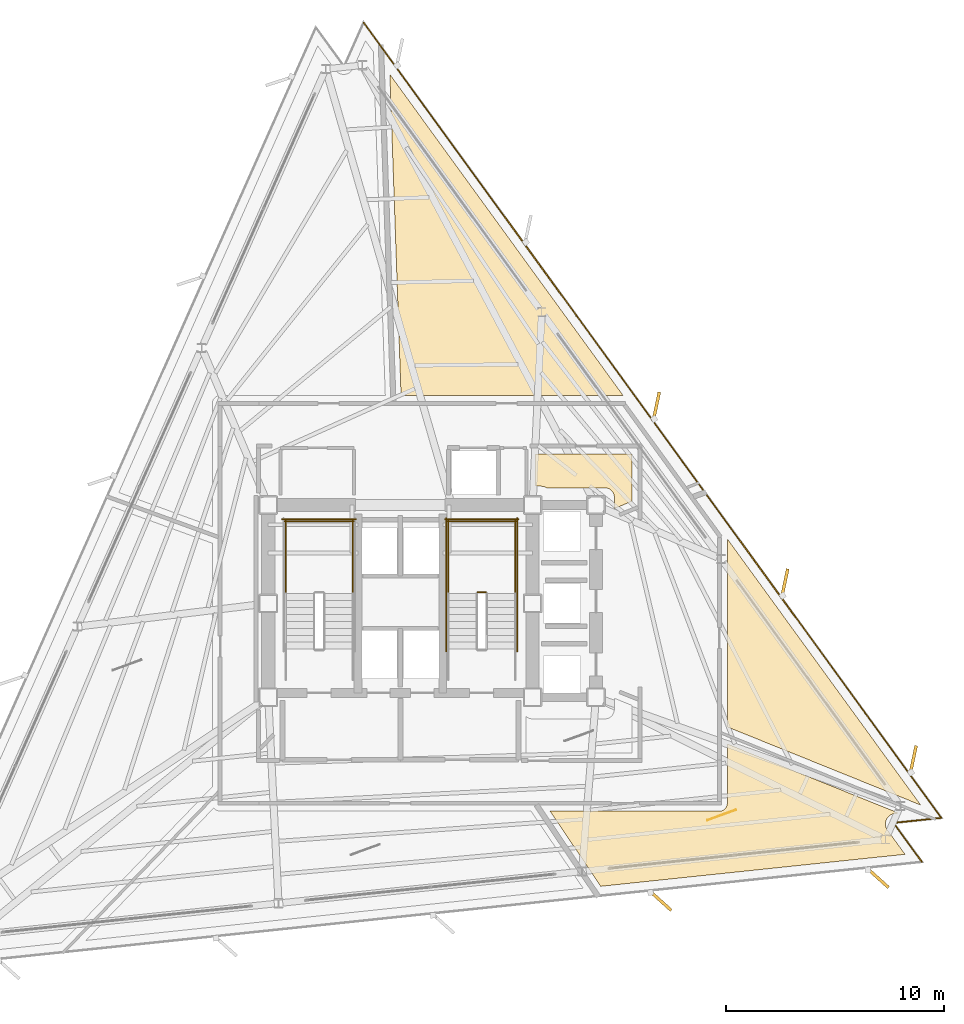
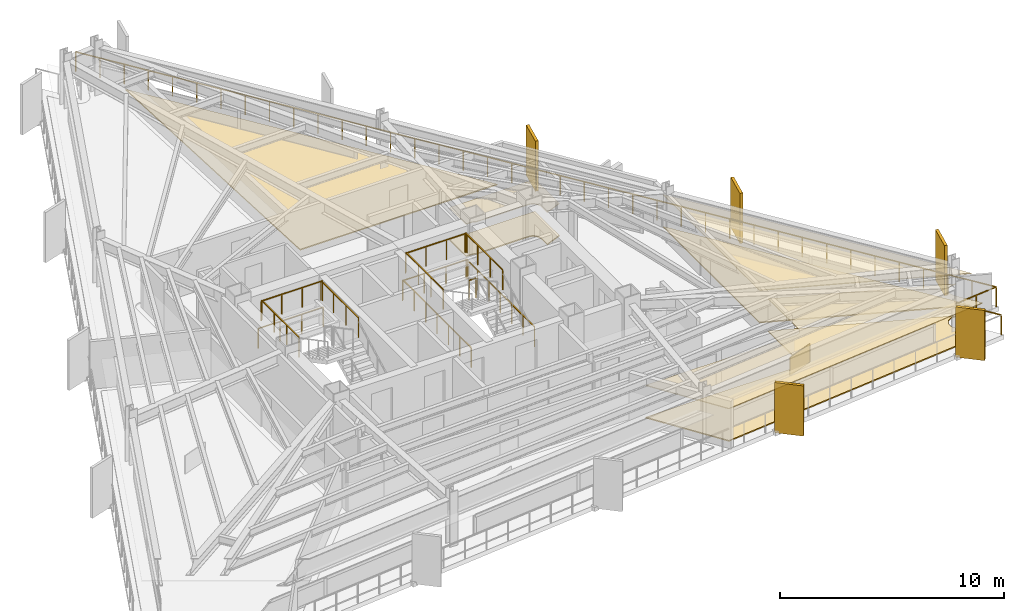
# One storey, part 12 of 13: 12 railings, 8 coverings, 5 shading devices.
"""IFC4 building model written with IfcOpenShell, lengths in metres."""

from ifc_helpers import new_model, si_unit, direction, frame, origin, origin_2d, place, context, subcontext, project, spatial, polyline, rectangle, outline, extrude, material, layer, layer_set, type_object, element, save


model = new_model("IFC4")

# Units and contexts
model_context = context("Model", 3, precision=1e-05, world=origin(), true_north=direction((0.0, 1.0)))
body_context = subcontext(model_context, "Body", "Model", "MODEL_VIEW")
ifc_project = project(units=[si_unit("LENGTHUNIT", "METRE"), si_unit("AREAUNIT", "SQUARE_METRE"), si_unit("VOLUMEUNIT", "CUBIC_METRE"), si_unit("PLANEANGLEUNIT", "RADIAN"), si_unit("MASSUNIT", "GRAM", prefix="KILO")], contexts=[model_context])

# Site, building, storey
site_placement = place(None, origin())
site = spatial("IfcSite", under=ifc_project, at=site_placement, CompositionType="ELEMENT")
building_placement = place(site_placement, origin())
building = spatial("IfcBuilding", under=site, at=building_placement, Name="Rocaltana Carrier Exchange", CompositionType="ELEMENT")
storey_placement = place(building_placement, frame((0.0, 0.0, 122.8798828125)))
storey = spatial("IfcBuildingStorey", under=building, at=storey_placement, Name="L38", CompositionType="ELEMENT", Elevation=122.8798828125)

# Coverings
ifc_material_1 = material(Name="Calcium Sulphate & Aluminium Pedestal", Category="aluminium")
ifc_layer_1 = layer(ifc_material_1, 0.06005859375)
ifc_layer_set_1 = layer_set([ifc_layer_1], Name="Calcium Sulphate & Aluminium Pedestal")
covering_type_1 = type_object("IfcCoveringType", Name="Anti-Static Raised Exchange Access Floor 60", PredefinedType="FLOORING", material=ifc_layer_set_1)
covering_1_placement = place(storey_placement, origin())
element("IfcCovering", 1, at=covering_1_placement, inside=storey, type_object=covering_type_1, Name="L38 Optical Switching Laboratory Finish Floor", PredefinedType="FLOORING", context=body_context, shape_type="SweptSolid", body=[
    extrude(outline(polyline([(22.62939453125, -9.620361328125), (22.61572265625, -9.6220703125), (22.595947265625, -9.625244140625), (22.568603515625, -9.630859375), (22.54931640625, -9.635986328125), (22.522705078125, -9.644287109375), (22.50390625, -9.651123046875), (22.478271484375, -9.662109375), (22.46044921875, -9.6708984375), (22.43603515625, -9.684326171875), (22.4189453125, -9.69482421875), (22.39599609375, -9.710693359375), (22.380126953125, -9.722900390625), (22.35888671875, -9.74072265625), (22.344482421875, -9.75439453125), (22.324951171875, -9.774658203125), (22.311767578125, -9.78955078125), (22.294677734375, -9.8115234375), (22.282958984375, -9.82763671875), (22.26806640625, -9.851318359375), (22.258056640625, -9.86865234375), (22.24560546875, -9.8935546875), (22.2373046875, -9.91162109375), (22.227294921875, -9.937744140625), (22.220947265625, -9.956787109375), (22.213623046875, -9.983642578125), (22.209228515625, -10.0029296875), (22.20458984375, -10.030517578125), (22.2021484375, -10.05029296875), (22.2001953125, -10.078125), (22.19970703125, -10.09814453125), (22.20068359375, -10.1259765625), (22.202392578125, -10.14599609375), (22.205810546875, -10.173583984375), (22.20947265625, -10.193115234375), (22.2158203125, -10.220458984375), (22.22119140625, -10.239501953125), (22.230224609375, -10.26611328125), (22.23779296875, -10.284423828125), (22.249267578125, -10.309814453125), (22.258544921875, -10.32763671875), (22.272705078125, -10.351806640625), (22.283447265625, -10.368408203125), (22.29150390625, -10.3798828125), (23.095947265625, -11.487060546875), (9.169677734375, -12.95068359375), (6.848876953125, -9.510009765625), (14.60009765625, -9.510009765625), (14.61376953125, -9.509765625), (14.62158203125, -9.50927734375), (14.64892578125, -9.506591796875), (14.65673828125, -9.50537109375), (14.68359375, -9.5), (14.69140625, -9.498291015625), (14.717529296875, -9.490234375), (14.724853515625, -9.487548828125), (14.750244140625, -9.47705078125), (14.75732421875, -9.4736328125), (14.78173828125, -9.460693359375), (14.788330078125, -9.456787109375), (14.811279296875, -9.44140625), (14.8173828125, -9.436767578125), (14.8388671875, -9.419189453125), (14.844482421875, -9.4140625), (14.864013671875, -9.39453125), (14.869384765625, -9.388916015625), (14.88671875, -9.367431640625), (14.891357421875, -9.361083984375), (14.90673828125, -9.33837890625), (14.91064453125, -9.331787109375), (14.923583984375, -9.307373046875), (14.927001953125, -9.30029296875), (14.9375, -9.27490234375), (14.940185546875, -9.267578125), (14.9482421875, -9.2412109375), (14.9501953125, -9.233642578125), (14.955322265625, -9.206787109375), (14.95654296875, -9.198974609375), (14.959228515625, -9.171630859375), (14.959716796875, -9.163818359375), (14.9599609375, -9.14990234375), (14.9599609375, -6.4326171875), (22.8046875, -9.601806640625), (22.62939453125, -9.620361328125)])), origin(), (0.0, 0.0, 1.0), 0.06005859375),
])
covering_2_placement = place(storey_placement, origin())
element("IfcCovering", 2, at=covering_2_placement, inside=storey, type_object=covering_type_1, Name="L38 Quiet Focus Lounge Finish Floor", PredefinedType="FLOORING", context=body_context, shape_type="SweptSolid", body=[
    extrude(outline(polyline([(14.9599609375, 2.952392578125), (23.813232421875, -9.23291015625), (14.9599609375, -5.656005859375), (14.9599609375, 2.952392578125)])), origin(), (0.0, 0.0, 1.0), 0.06005859375),
])
covering_3_placement = place(storey_placement, origin())
element("IfcCovering", 3, at=covering_3_placement, inside=storey, type_object=covering_type_1, Name="L38 Peering Conference Room Finish Floor", PredefinedType="FLOORING", context=body_context, shape_type="SweptSolid", body=[
    extrude(outline(polyline([(6.18994140625, 6.840087890625), (10.60009765625, 6.840087890625), (10.60009765625, 4.6708984375), (9.7900390625, 4.34375), (9.7900390625, 4.85009765625), (9.789794921875, 4.86376953125), (9.788818359375, 4.87939453125), (9.7861328125, 4.90673828125), (9.783935546875, 4.92236328125), (9.778564453125, 4.94921875), (9.774658203125, 4.964599609375), (9.7666015625, 4.99072265625), (9.761474609375, 5.005615234375), (9.7509765625, 5.031005859375), (9.744140625, 5.045166015625), (9.731201171875, 5.0693359375), (9.72314453125, 5.082763671875), (9.7080078125, 5.105712890625), (9.698486328125, 5.118408203125), (9.68115234375, 5.139404296875), (9.670654296875, 5.151123046875), (9.651123046875, 5.170654296875), (9.639404296875, 5.18115234375), (9.618408203125, 5.198486328125), (9.605712890625, 5.2080078125), (9.582763671875, 5.22314453125), (9.5693359375, 5.231201171875), (9.545166015625, 5.244140625), (9.531005859375, 5.2509765625), (9.505615234375, 5.261474609375), (9.49072265625, 5.2666015625), (9.464599609375, 5.274658203125), (9.44921875, 5.278564453125), (9.42236328125, 5.283935546875), (9.40673828125, 5.2861328125), (9.37939453125, 5.288818359375), (9.36376953125, 5.289794921875), (9.35009765625, 5.2900390625), (6.6875, 5.2900390625), (6.682861328125, 5.293212890625), (6.66943359375, 5.30126953125), (6.64501953125, 5.314208984375), (6.630859375, 5.32080078125), (6.605712890625, 5.33154296875), (6.5908203125, 5.336669921875), (6.564453125, 5.3447265625), (6.54931640625, 5.348388671875), (6.522216796875, 5.35400390625), (6.5068359375, 5.356201171875), (6.4794921875, 5.35888671875), (6.463623046875, 5.359619140625), (6.449951171875, 5.360107421875), (6.18994140625, 5.360107421875), (6.18994140625, 6.840087890625)])), origin(), (0.0, 0.0, 1.0), 0.06005859375),
])
covering_4_placement = place(storey_placement, origin())
element("IfcCovering", 4, at=covering_4_placement, inside=storey, type_object=covering_type_1, Name="L38 Quiet Focus Lounge Finish Floor", PredefinedType="FLOORING", context=body_context, shape_type="SweptSolid", body=[
    extrude(outline(polyline([(10.19580078125, 9.510009765625), (0.028076171875, 9.510009765625), (-0.485107421875, 24.2109375), (10.19580078125, 9.510009765625)])), origin(), (0.0, 0.0, 1.0), 0.06005859375),
])
ifc_material_2 = material(Name="Mineral Fibre & Powder-Coated Aluminium", Category="aluminium")
ifc_layer_2 = layer(ifc_material_2, 0.044921875)
ifc_layer_set_2 = layer_set([ifc_layer_2], Name="Mineral Fibre & Powder-Coated Aluminium")
covering_type_2 = type_object("IfcCoveringType", Name="Micro-Perforated Acoustic Ceiling 45", PredefinedType="CEILING", material=ifc_layer_set_2)
covering_5_placement = place(storey_placement, frame((0.0, 0.0, 1.76318359375)))
element("IfcCovering", 5, at=covering_5_placement, inside=storey, type_object=covering_type_2, Name="L38 Optical Switching Laboratory Acoustic Ceiling", PredefinedType="CEILING", context=body_context, shape_type="SweptSolid", body=[
    extrude(outline(polyline([(22.62939453125, -9.620361328125), (22.61572265625, -9.6220703125), (22.595947265625, -9.625244140625), (22.568603515625, -9.630859375), (22.54931640625, -9.635986328125), (22.522705078125, -9.644287109375), (22.50390625, -9.651123046875), (22.478271484375, -9.662109375), (22.46044921875, -9.6708984375), (22.43603515625, -9.684326171875), (22.4189453125, -9.69482421875), (22.39599609375, -9.710693359375), (22.380126953125, -9.722900390625), (22.35888671875, -9.74072265625), (22.344482421875, -9.75439453125), (22.324951171875, -9.774658203125), (22.311767578125, -9.78955078125), (22.294677734375, -9.8115234375), (22.282958984375, -9.82763671875), (22.26806640625, -9.851318359375), (22.258056640625, -9.86865234375), (22.24560546875, -9.8935546875), (22.2373046875, -9.91162109375), (22.227294921875, -9.937744140625), (22.220947265625, -9.956787109375), (22.213623046875, -9.983642578125), (22.209228515625, -10.0029296875), (22.20458984375, -10.030517578125), (22.2021484375, -10.05029296875), (22.2001953125, -10.078125), (22.19970703125, -10.09814453125), (22.20068359375, -10.1259765625), (22.202392578125, -10.14599609375), (22.205810546875, -10.173583984375), (22.20947265625, -10.193115234375), (22.2158203125, -10.220458984375), (22.22119140625, -10.239501953125), (22.230224609375, -10.26611328125), (22.23779296875, -10.284423828125), (22.249267578125, -10.309814453125), (22.258544921875, -10.32763671875), (22.272705078125, -10.351806640625), (22.283447265625, -10.368408203125), (22.29150390625, -10.3798828125), (23.095947265625, -11.487060546875), (9.169677734375, -12.95068359375), (6.848876953125, -9.510009765625), (14.60009765625, -9.510009765625), (14.61376953125, -9.509765625), (14.62158203125, -9.50927734375), (14.64892578125, -9.506591796875), (14.65673828125, -9.50537109375), (14.68359375, -9.5), (14.69140625, -9.498291015625), (14.717529296875, -9.490234375), (14.724853515625, -9.487548828125), (14.750244140625, -9.47705078125), (14.75732421875, -9.4736328125), (14.78173828125, -9.460693359375), (14.788330078125, -9.456787109375), (14.811279296875, -9.44140625), (14.8173828125, -9.436767578125), (14.8388671875, -9.419189453125), (14.844482421875, -9.4140625), (14.864013671875, -9.39453125), (14.869384765625, -9.388916015625), (14.88671875, -9.367431640625), (14.891357421875, -9.361083984375), (14.90673828125, -9.33837890625), (14.91064453125, -9.331787109375), (14.923583984375, -9.307373046875), (14.927001953125, -9.30029296875), (14.9375, -9.27490234375), (14.940185546875, -9.267578125), (14.9482421875, -9.2412109375), (14.9501953125, -9.233642578125), (14.955322265625, -9.206787109375), (14.95654296875, -9.198974609375), (14.959228515625, -9.171630859375), (14.959716796875, -9.163818359375), (14.9599609375, -9.14990234375), (14.9599609375, -6.4326171875), (22.8046875, -9.601806640625), (22.62939453125, -9.620361328125)])), origin(), (0.0, 0.0, 1.0), 0.044921875),
])
covering_6_placement = place(storey_placement, frame((0.0, 0.0, 1.76318359375)))
element("IfcCovering", 6, at=covering_6_placement, inside=storey, type_object=covering_type_2, Name="L38 Quiet Focus Lounge Acoustic Ceiling", PredefinedType="CEILING", context=body_context, shape_type="SweptSolid", body=[
    extrude(outline(polyline([(14.9599609375, 2.952392578125), (23.813232421875, -9.23291015625), (14.9599609375, -5.656005859375), (14.9599609375, 2.952392578125)])), origin(), (0.0, 0.0, 1.0), 0.044921875),
])
covering_7_placement = place(storey_placement, frame((0.0, 0.0, 1.76318359375)))
element("IfcCovering", 7, at=covering_7_placement, inside=storey, type_object=covering_type_2, Name="L38 Peering Conference Room Acoustic Ceiling", PredefinedType="CEILING", context=body_context, shape_type="SweptSolid", body=[
    extrude(outline(polyline([(6.18994140625, 6.840087890625), (10.60009765625, 6.840087890625), (10.60009765625, 4.6708984375), (9.7900390625, 4.34375), (9.7900390625, 4.85009765625), (9.789794921875, 4.86376953125), (9.788818359375, 4.87939453125), (9.7861328125, 4.90673828125), (9.783935546875, 4.92236328125), (9.778564453125, 4.94921875), (9.774658203125, 4.964599609375), (9.7666015625, 4.99072265625), (9.761474609375, 5.005615234375), (9.7509765625, 5.031005859375), (9.744140625, 5.045166015625), (9.731201171875, 5.0693359375), (9.72314453125, 5.082763671875), (9.7080078125, 5.105712890625), (9.698486328125, 5.118408203125), (9.68115234375, 5.139404296875), (9.670654296875, 5.151123046875), (9.651123046875, 5.170654296875), (9.639404296875, 5.18115234375), (9.618408203125, 5.198486328125), (9.605712890625, 5.2080078125), (9.582763671875, 5.22314453125), (9.5693359375, 5.231201171875), (9.545166015625, 5.244140625), (9.531005859375, 5.2509765625), (9.505615234375, 5.261474609375), (9.49072265625, 5.2666015625), (9.464599609375, 5.274658203125), (9.44921875, 5.278564453125), (9.42236328125, 5.283935546875), (9.40673828125, 5.2861328125), (9.37939453125, 5.288818359375), (9.36376953125, 5.289794921875), (9.35009765625, 5.2900390625), (6.6875, 5.2900390625), (6.682861328125, 5.293212890625), (6.66943359375, 5.30126953125), (6.64501953125, 5.314208984375), (6.630859375, 5.32080078125), (6.605712890625, 5.33154296875), (6.5908203125, 5.336669921875), (6.564453125, 5.3447265625), (6.54931640625, 5.348388671875), (6.522216796875, 5.35400390625), (6.5068359375, 5.356201171875), (6.4794921875, 5.35888671875), (6.463623046875, 5.359619140625), (6.449951171875, 5.360107421875), (6.18994140625, 5.360107421875), (6.18994140625, 6.840087890625)])), origin(), (0.0, 0.0, 1.0), 0.044921875),
])

# Railings
ifc_material_3 = material(Name="Powder-Coated Aluminium 6063-T6", Category="aluminium")
ifc_layer_3 = layer(ifc_material_3, 0.048095703125)
ifc_layer_set_3 = layer_set([ifc_layer_3], Name="Powder-Coated Aluminium 6063-T6")
railing_type_1 = type_object("IfcRailingType", Name="Stair Well Guardrail 1100", PredefinedType="GUARDRAIL", material=ifc_layer_set_3)
for number, where, name in (
    (8, (-2.18994140625, 0.4599609375, 1.52001953125), "L38 ST-1 stair guard 3"),
    (9, (-5.25, 0.4599609375, 1.52001953125), "L38 ST-1 stair guard 4"),
):
    element("IfcRailing", number, at=place(storey_placement, frame(where)), inside=storey, type_object=railing_type_1, Name=name, PredefinedType="GUARDRAIL", context=body_context, shape_type="SweptSolid", body=[
        extrude(rectangle(XDim=0.048095703125, YDim=0.048095703125, at=origin_2d()), frame((0.0, 0.0, 1.076171875), z_axis=(0.0, 1.0, 0.0), x_axis=(-1.0, 0.0, 0.0)), (0.0, 0.0, 1.0), 3.340087890625),
        extrude(rectangle(XDim=0.0419921875, YDim=0.0419921875, at=origin_2d()), origin(), (0.0, 0.0, 1.0), 1.052001953125),
        extrude(rectangle(XDim=0.0419921875, YDim=0.0419921875, at=origin_2d()), frame((0.0, 1.11328125, 0.0)), (0.0, 0.0, 1.0), 1.052001953125),
        extrude(rectangle(XDim=0.0419921875, YDim=0.0419921875, at=origin_2d()), frame((0.0, 2.226806640625, 0.0)), (0.0, 0.0, 1.0), 1.052001953125),
        extrude(rectangle(XDim=0.0419921875, YDim=0.0419921875, at=origin_2d()), frame((0.0, 3.340087890625, 0.0)), (0.0, 0.0, 1.0), 1.052001953125),
    ])
railing_1_placement = place(storey_placement, frame((-2.139892578125, 3.75, 1.52001953125)))
element("IfcRailing", 10, at=railing_1_placement, inside=storey, type_object=railing_type_1, Name="L38 ST-1 stair guard 5", PredefinedType="GUARDRAIL", context=body_context, shape_type="SweptSolid", body=[
    extrude(rectangle(XDim=0.048095703125, YDim=0.048095703125, at=origin_2d()), frame((0.0, 0.0, 1.076171875), z_axis=(-1.0, 0.0, 0.0), x_axis=(0.0, -1.0, 0.0)), (0.0, 0.0, 1.0), 3.16015625),
    extrude(rectangle(XDim=0.0419921875, YDim=0.0419921875, at=origin_2d()), origin(), (0.0, 0.0, 1.0), 1.052001953125),
    extrude(rectangle(XDim=0.0419921875, YDim=0.0419921875, at=origin_2d()), frame((-1.053466796875, 0.0, 0.0)), (0.0, 0.0, 1.0), 1.052001953125),
    extrude(rectangle(XDim=0.0419921875, YDim=0.0419921875, at=origin_2d()), frame((-2.106689453125, 0.0, 0.0)), (0.0, 0.0, 1.0), 1.052001953125),
    extrude(rectangle(XDim=0.0419921875, YDim=0.0419921875, at=origin_2d()), frame((-3.16015625, 0.0, 0.0)), (0.0, 0.0, 1.0), 1.052001953125),
])
railing_2_placement = place(storey_placement, frame((-2.0400390625, 3.85009765625, 0.0)))
element("IfcRailing", 11, at=railing_2_placement, inside=storey, type_object=railing_type_1, Name="L38 ST-1 stair guard 12", PredefinedType="GUARDRAIL", context=body_context, shape_type="SweptSolid", body=[
    extrude(rectangle(XDim=0.048095703125, YDim=0.048095703125, at=origin_2d()), frame((0.0, 0.0, 1.076171875), z_axis=(-1.0, 0.0, 0.0), x_axis=(0.0, -1.0, 0.0)), (0.0, 0.0, 1.0), 3.35986328125),
    extrude(rectangle(XDim=0.0419921875, YDim=0.0419921875, at=origin_2d()), origin(), (0.0, 0.0, 1.0), 1.052001953125),
    extrude(rectangle(XDim=0.0419921875, YDim=0.0419921875, at=origin_2d()), frame((-1.119873046875, 0.0, 0.0)), (0.0, 0.0, 1.0), 1.052001953125),
    extrude(rectangle(XDim=0.0419921875, YDim=0.0419921875, at=origin_2d()), frame((-2.239990234375, 0.0, 0.0)), (0.0, 0.0, 1.0), 1.052001953125),
    extrude(rectangle(XDim=0.0419921875, YDim=0.0419921875, at=origin_2d()), frame((-3.35986328125, 0.0, 0.0)), (0.0, 0.0, 1.0), 1.052001953125),
])
railing_3_placement = place(storey_placement, frame((3.89990234375, 0.510009765625, 1.52001953125)))
element("IfcRailing", 12, at=railing_3_placement, inside=storey, type_object=railing_type_1, Name="L38 ST-2 stair guard 2", PredefinedType="GUARDRAIL", context=body_context, shape_type="SweptSolid", body=[
    extrude(rectangle(XDim=0.048095703125, YDim=0.048095703125, at=origin_2d()), frame((0.0, 0.0, 1.076171875), z_axis=(-1.0, 0.0, 0.0), x_axis=(0.0, -1.0, 0.0)), (0.0, 0.0, 1.0), 0.35986328125),
    extrude(rectangle(XDim=0.0419921875, YDim=0.0419921875, at=origin_2d()), origin(), (0.0, 0.0, 1.0), 1.052001953125),
    extrude(rectangle(XDim=0.0419921875, YDim=0.0419921875, at=origin_2d()), frame((-0.35986328125, 0.0, 0.0)), (0.0, 0.0, 1.0), 1.052001953125),
])
for number, where, name in (
    (13, (5.25, 0.4599609375, 1.52001953125), "L38 ST-2 stair guard 3"),
    (14, (2.18994140625, 0.4599609375, 1.52001953125), "L38 ST-2 stair guard 4"),
):
    element("IfcRailing", number, at=place(storey_placement, frame(where)), inside=storey, type_object=railing_type_1, Name=name, PredefinedType="GUARDRAIL", context=body_context, shape_type="SweptSolid", body=[
        extrude(rectangle(XDim=0.048095703125, YDim=0.048095703125, at=origin_2d()), frame((0.0, 0.0, 1.076171875), z_axis=(0.0, 1.0, 0.0), x_axis=(-1.0, 0.0, 0.0)), (0.0, 0.0, 1.0), 3.340087890625),
        extrude(rectangle(XDim=0.0419921875, YDim=0.0419921875, at=origin_2d()), origin(), (0.0, 0.0, 1.0), 1.052001953125),
        extrude(rectangle(XDim=0.0419921875, YDim=0.0419921875, at=origin_2d()), frame((0.0, 1.11328125, 0.0)), (0.0, 0.0, 1.0), 1.052001953125),
        extrude(rectangle(XDim=0.0419921875, YDim=0.0419921875, at=origin_2d()), frame((0.0, 2.226806640625, 0.0)), (0.0, 0.0, 1.0), 1.052001953125),
        extrude(rectangle(XDim=0.0419921875, YDim=0.0419921875, at=origin_2d()), frame((0.0, 3.340087890625, 0.0)), (0.0, 0.0, 1.0), 1.052001953125),
    ])
railing_4_placement = place(storey_placement, frame((5.300048828125, 3.75, 1.52001953125)))
element("IfcRailing", 15, at=railing_4_placement, inside=storey, type_object=railing_type_1, Name="L38 ST-2 stair guard 5", PredefinedType="GUARDRAIL", context=body_context, shape_type="SweptSolid", body=[
    extrude(rectangle(XDim=0.048095703125, YDim=0.048095703125, at=origin_2d()), frame((0.0, 0.0, 1.076171875), z_axis=(-1.0, 0.0, 0.0), x_axis=(0.0, -1.0, 0.0)), (0.0, 0.0, 1.0), 3.16015625),
    extrude(rectangle(XDim=0.0419921875, YDim=0.0419921875, at=origin_2d()), origin(), (0.0, 0.0, 1.0), 1.052001953125),
    extrude(rectangle(XDim=0.0419921875, YDim=0.0419921875, at=origin_2d()), frame((-1.053466796875, 0.0, 0.0)), (0.0, 0.0, 1.0), 1.052001953125),
    extrude(rectangle(XDim=0.0419921875, YDim=0.0419921875, at=origin_2d()), frame((-2.106689453125, 0.0, 0.0)), (0.0, 0.0, 1.0), 1.052001953125),
    extrude(rectangle(XDim=0.0419921875, YDim=0.0419921875, at=origin_2d()), frame((-3.16015625, 0.0, 0.0)), (0.0, 0.0, 1.0), 1.052001953125),
])
for number, where, name in (
    (16, (5.35009765625, -2.199951171875, 0.0), "L38 ST-2 stair guard 10"),
    (17, (2.090087890625, -2.199951171875, 0.0), "L38 ST-2 stair guard 11"),
):
    element("IfcRailing", number, at=place(storey_placement, frame(where)), inside=storey, type_object=railing_type_1, Name=name, PredefinedType="GUARDRAIL", context=body_context, shape_type="SweptSolid", body=[
        extrude(rectangle(XDim=0.048095703125, YDim=0.048095703125, at=origin_2d()), frame((0.0, 0.0, 1.076171875), z_axis=(0.0, 1.0, 0.0), x_axis=(-1.0, 0.0, 0.0)), (0.0, 0.0, 1.0), 6.099853515625),
        extrude(rectangle(XDim=0.0419921875, YDim=0.0419921875, at=origin_2d()), origin(), (0.0, 0.0, 1.0), 1.052001953125),
        extrude(rectangle(XDim=0.0419921875, YDim=0.0419921875, at=origin_2d()), frame((0.0, 1.0166015625, 0.0)), (0.0, 0.0, 1.0), 1.052001953125),
        extrude(rectangle(XDim=0.0419921875, YDim=0.0419921875, at=origin_2d()), frame((0.0, 2.033203125, 0.0)), (0.0, 0.0, 1.0), 1.052001953125),
        extrude(rectangle(XDim=0.0419921875, YDim=0.0419921875, at=origin_2d()), frame((0.0, 3.0498046875, 0.0)), (0.0, 0.0, 1.0), 1.052001953125),
        extrude(rectangle(XDim=0.0419921875, YDim=0.0419921875, at=origin_2d()), frame((0.0, 4.066650390625, 0.0)), (0.0, 0.0, 1.0), 1.052001953125),
        extrude(rectangle(XDim=0.0419921875, YDim=0.0419921875, at=origin_2d()), frame((0.0, 5.083251953125, 0.0)), (0.0, 0.0, 1.0), 1.052001953125),
        extrude(rectangle(XDim=0.0419921875, YDim=0.0419921875, at=origin_2d()), frame((0.0, 6.099853515625, 0.0)), (0.0, 0.0, 1.0), 1.052001953125),
    ])
railing_5_placement = place(storey_placement, frame((5.39990234375, 3.85009765625, 0.0)))
element("IfcRailing", 18, at=railing_5_placement, inside=storey, type_object=railing_type_1, Name="L38 ST-2 stair guard 12", PredefinedType="GUARDRAIL", context=body_context, shape_type="SweptSolid", body=[
    extrude(rectangle(XDim=0.048095703125, YDim=0.048095703125, at=origin_2d()), frame((0.0, 0.0, 1.076171875), z_axis=(-1.0, 0.0, 0.0), x_axis=(0.0, -1.0, 0.0)), (0.0, 0.0, 1.0), 3.35986328125),
    extrude(rectangle(XDim=0.0419921875, YDim=0.0419921875, at=origin_2d()), origin(), (0.0, 0.0, 1.0), 1.052001953125),
    extrude(rectangle(XDim=0.0419921875, YDim=0.0419921875, at=origin_2d()), frame((-1.119873046875, 0.0, 0.0)), (0.0, 0.0, 1.0), 1.052001953125),
    extrude(rectangle(XDim=0.0419921875, YDim=0.0419921875, at=origin_2d()), frame((-2.239990234375, 0.0, 0.0)), (0.0, 0.0, 1.0), 1.052001953125),
    extrude(rectangle(XDim=0.0419921875, YDim=0.0419921875, at=origin_2d()), frame((-3.35986328125, 0.0, 0.0)), (0.0, 0.0, 1.0), 1.052001953125),
])

# Covering
ifc_material_4 = material(Name="Honed Piedra Muneca Sandstone", Category="masonry")
ifc_layer_4 = layer(ifc_material_4, 0.034912109375)
ifc_layer_set_4 = layer_set([ifc_layer_4], Name="Honed Piedra Muneca Sandstone")
covering_type_3 = type_object("IfcCoveringType", Name="Stone Facade Cladding 35", PredefinedType="CLADDING", material=ifc_layer_set_4)
covering_8_placement = place(storey_placement, frame((14.69873046875, -9.689697265625, 0.0), z_axis=(0.0, 0.0, 1.0), x_axis=(0.939692620786, 0.342020143326, 0.0)))
element("IfcCovering", 19, at=covering_8_placement, inside=storey, type_object=covering_type_3, Name="L38 Stone Facade Cladding Panel 4", PredefinedType="CLADDING", context=body_context, shape_type="SweptSolid", body=[
    extrude(rectangle(XDim=1.39990234375, YDim=0.034912109375, at=origin_2d()), origin(), (0.0, 0.0, 1.0), 1.050048828125),
])

# Shading devices
ifc_material_5 = material(Name="Honed Bogota Sandstone & Concrete C45/55", Category="masonry")
ifc_layer_5 = layer(ifc_material_5, 0.139892578125)
ifc_layer_set_5 = layer_set([ifc_layer_5], Name="Honed Bogota Sandstone & Concrete C45/55")
shading_device_type = type_object("IfcShadingDeviceType", Name="Vertical Sandstone Shading Fin 1320x140", PredefinedType="USERDEFINED", material=ifc_layer_set_5)
for number, where, z_axis, x_axis, name in (
    (20, (23.46826171875, -7.15771484375, -0.1201171875), (0.0, 0.0, 1.0), (0.207911690818, 0.978147600734, 0.0), "L38 Sandstone Vertical Fin F1-01"),
    (21, (17.590576171875, 0.932373046875, -0.1201171875), (0.0, 0.0, 1.0), (0.207911690818, 0.978147600734, 0.0), "L38 Sandstone Vertical Fin F1-02"),
    (22, (11.712646484375, 9.0224609375, -0.1201171875), (0.0, 0.0, 1.0), (0.207911690818, 0.978147600734, 0.0), "L38 Sandstone Vertical Fin F1-03"),
    (23, (11.902587890625, -13.609375, -0.1201171875), (0.0, 0.0, 1.0), (0.743144825477, -0.669130606359, 0.0), "L38 Sandstone Vertical Fin F3-04"),
    (24, (21.847900390625, -12.564208984375, -0.1201171875), (0.0, 0.0, 1.0), (0.743144825477, -0.669130606359, 0.0), "L38 Sandstone Vertical Fin F3-05"),
):
    element("IfcShadingDevice", number, at=place(storey_placement, frame(where, z_axis=z_axis, x_axis=x_axis)), inside=storey, type_object=shading_device_type, Name=name, ObjectType="FIN", PredefinedType="USERDEFINED", context=body_context, shape_type="SweptSolid", body=[
        extrude(rectangle(XDim=1.320068359375, YDim=0.139892578125, at=origin_2d()), origin(), (0.0, 0.0, 1.0), 2.738037109375),
    ])

# Railing
ifc_material_6 = material(Name="Powder-Coated Aluminium 6063-T6", Category="aluminium")
ifc_layer_6 = layer(ifc_material_6, 0.06005859375)
ifc_layer_set_6 = layer_set([ifc_layer_6], Name="Powder-Coated Aluminium 6063-T6")
railing_type_2 = type_object("IfcRailingType", Name="Wind-Floor & Terrace Perimeter Guardrail 1100", PredefinedType="GUARDRAIL", material=ifc_layer_set_6)
railing_6_placement = place(storey_placement, frame((-1.687744140625, 26.58056640625, 0.0)))
element("IfcRailing", 25, at=railing_6_placement, inside=storey, type_object=railing_type_2, Name="L38 Perimeter Balcony Guardrail 3", PredefinedType="GUARDRAIL", context=body_context, shape_type="SweptSolid", body=[
    extrude(rectangle(XDim=0.048095703125, YDim=0.048095703125, at=origin_2d()), frame((0.0, 0.0, 1.076171875), z_axis=(0.587786393813, -0.809016165011, 0.0), x_axis=(0.809016165011, 0.587786393813, 0.0)), (0.0, 0.0, 1.0), 44.9921875),
    extrude(rectangle(XDim=0.048095703125, YDim=0.048095703125, at=origin_2d()), frame((26.44580078125, -36.3994140625, 1.076171875), z_axis=(-0.994521251134, -0.104534592565, 0.0), x_axis=(0.104534592565, -0.994521251134, 0.0)), (0.0, 0.0, 1.0), 2.199951171875),
    extrude(rectangle(XDim=0.048095703125, YDim=0.048095703125, at=origin_2d()), frame((24.2578125, -36.62939453125, 1.076171875), z_axis=(0.587821928992, -0.808990345923, 0.0), x_axis=(0.808990345923, 0.587821928992, 0.0)), (0.0, 0.0, 1.0), 2.199951171875),
    extrude(rectangle(XDim=0.0419921875, YDim=0.0419921875, at=origin_2d()), origin(), (0.0, 0.0, 1.0), 1.052001953125),
    extrude(rectangle(XDim=0.0419921875, YDim=0.0419921875, at=origin_2d()), frame((0.696044921875, -0.957763671875, 0.0)), (0.0, 0.0, 1.0), 1.052001953125),
    extrude(rectangle(XDim=0.0419921875, YDim=0.0419921875, at=origin_2d()), frame((1.391845703125, -1.915771484375, 0.0)), (0.0, 0.0, 1.0), 1.052001953125),
    extrude(rectangle(XDim=0.0419921875, YDim=0.0419921875, at=origin_2d()), frame((2.087890625, -2.87353515625, 0.0)), (0.0, 0.0, 1.0), 1.052001953125),
    extrude(rectangle(XDim=0.0419921875, YDim=0.0419921875, at=origin_2d()), frame((2.78369140625, -3.83154296875, 0.0)), (0.0, 0.0, 1.0), 1.052001953125),
    extrude(rectangle(XDim=0.0419921875, YDim=0.0419921875, at=origin_2d()), frame((3.479736328125, -4.789306640625, 0.0)), (0.0, 0.0, 1.0), 1.052001953125),
    extrude(rectangle(XDim=0.0419921875, YDim=0.0419921875, at=origin_2d()), frame((4.175537109375, -5.747314453125, 0.0)), (0.0, 0.0, 1.0), 1.052001953125),
    extrude(rectangle(XDim=0.0419921875, YDim=0.0419921875, at=origin_2d()), frame((4.87158203125, -6.705078125, 0.0)), (0.0, 0.0, 1.0), 1.052001953125),
    extrude(rectangle(XDim=0.0419921875, YDim=0.0419921875, at=origin_2d()), frame((5.567626953125, -7.6630859375, 0.0)), (0.0, 0.0, 1.0), 1.052001953125),
    extrude(rectangle(XDim=0.0419921875, YDim=0.0419921875, at=origin_2d()), frame((6.263427734375, -8.620849609375, 0.0)), (0.0, 0.0, 1.0), 1.052001953125),
    extrude(rectangle(XDim=0.0419921875, YDim=0.0419921875, at=origin_2d()), frame((6.95947265625, -9.578857421875, 0.0)), (0.0, 0.0, 1.0), 1.052001953125),
    extrude(rectangle(XDim=0.0419921875, YDim=0.0419921875, at=origin_2d()), frame((7.6552734375, -10.53662109375, 0.0)), (0.0, 0.0, 1.0), 1.052001953125),
    extrude(rectangle(XDim=0.0419921875, YDim=0.0419921875, at=origin_2d()), frame((8.351318359375, -11.49462890625, 0.0)), (0.0, 0.0, 1.0), 1.052001953125),
    extrude(rectangle(XDim=0.0419921875, YDim=0.0419921875, at=origin_2d()), frame((9.04736328125, -12.452392578125, 0.0)), (0.0, 0.0, 1.0), 1.052001953125),
    extrude(rectangle(XDim=0.0419921875, YDim=0.0419921875, at=origin_2d()), frame((9.7431640625, -13.410400390625, 0.0)), (0.0, 0.0, 1.0), 1.052001953125),
    extrude(rectangle(XDim=0.0419921875, YDim=0.0419921875, at=origin_2d()), frame((10.439208984375, -14.3681640625, 0.0)), (0.0, 0.0, 1.0), 1.052001953125),
    extrude(rectangle(XDim=0.0419921875, YDim=0.0419921875, at=origin_2d()), frame((11.135009765625, -15.326171875, 0.0)), (0.0, 0.0, 1.0), 1.052001953125),
    extrude(rectangle(XDim=0.0419921875, YDim=0.0419921875, at=origin_2d()), frame((11.8310546875, -16.283935546875, 0.0)), (0.0, 0.0, 1.0), 1.052001953125),
    extrude(rectangle(XDim=0.0419921875, YDim=0.0419921875, at=origin_2d()), frame((12.52685546875, -17.241943359375, 0.0)), (0.0, 0.0, 1.0), 1.052001953125),
    extrude(rectangle(XDim=0.0419921875, YDim=0.0419921875, at=origin_2d()), frame((13.222900390625, -18.19970703125, 0.0)), (0.0, 0.0, 1.0), 1.052001953125),
    extrude(rectangle(XDim=0.0419921875, YDim=0.0419921875, at=origin_2d()), frame((13.9189453125, -19.157470703125, 0.0)), (0.0, 0.0, 1.0), 1.052001953125),
    extrude(rectangle(XDim=0.0419921875, YDim=0.0419921875, at=origin_2d()), frame((14.61474609375, -20.115478515625, 0.0)), (0.0, 0.0, 1.0), 1.052001953125),
    extrude(rectangle(XDim=0.0419921875, YDim=0.0419921875, at=origin_2d()), frame((15.310791015625, -21.0732421875, 0.0)), (0.0, 0.0, 1.0), 1.052001953125),
    extrude(rectangle(XDim=0.0419921875, YDim=0.0419921875, at=origin_2d()), frame((16.006591796875, -22.03125, 0.0)), (0.0, 0.0, 1.0), 1.052001953125),
    extrude(rectangle(XDim=0.0419921875, YDim=0.0419921875, at=origin_2d()), frame((16.70263671875, -22.989013671875, 0.0)), (0.0, 0.0, 1.0), 1.052001953125),
    extrude(rectangle(XDim=0.0419921875, YDim=0.0419921875, at=origin_2d()), frame((17.3984375, -23.947021484375, 0.0)), (0.0, 0.0, 1.0), 1.052001953125),
    extrude(rectangle(XDim=0.0419921875, YDim=0.0419921875, at=origin_2d()), frame((18.094482421875, -24.90478515625, 0.0)), (0.0, 0.0, 1.0), 1.052001953125),
    extrude(rectangle(XDim=0.0419921875, YDim=0.0419921875, at=origin_2d()), frame((18.79052734375, -25.86279296875, 0.0)), (0.0, 0.0, 1.0), 1.052001953125),
    extrude(rectangle(XDim=0.0419921875, YDim=0.0419921875, at=origin_2d()), frame((19.486328125, -26.820556640625, 0.0)), (0.0, 0.0, 1.0), 1.052001953125),
    extrude(rectangle(XDim=0.0419921875, YDim=0.0419921875, at=origin_2d()), frame((20.182373046875, -27.778564453125, 0.0)), (0.0, 0.0, 1.0), 1.052001953125),
    extrude(rectangle(XDim=0.0419921875, YDim=0.0419921875, at=origin_2d()), frame((20.878173828125, -28.736328125, 0.0)), (0.0, 0.0, 1.0), 1.052001953125),
    extrude(rectangle(XDim=0.0419921875, YDim=0.0419921875, at=origin_2d()), frame((21.57421875, -29.6943359375, 0.0)), (0.0, 0.0, 1.0), 1.052001953125),
    extrude(rectangle(XDim=0.0419921875, YDim=0.0419921875, at=origin_2d()), frame((22.270263671875, -30.652099609375, 0.0)), (0.0, 0.0, 1.0), 1.052001953125),
    extrude(rectangle(XDim=0.0419921875, YDim=0.0419921875, at=origin_2d()), frame((22.966064453125, -31.610107421875, 0.0)), (0.0, 0.0, 1.0), 1.052001953125),
    extrude(rectangle(XDim=0.0419921875, YDim=0.0419921875, at=origin_2d()), frame((23.662109375, -32.56787109375, 0.0)), (0.0, 0.0, 1.0), 1.052001953125),
    extrude(rectangle(XDim=0.0419921875, YDim=0.0419921875, at=origin_2d()), frame((24.35791015625, -33.52587890625, 0.0)), (0.0, 0.0, 1.0), 1.052001953125),
    extrude(rectangle(XDim=0.0419921875, YDim=0.0419921875, at=origin_2d()), frame((25.053955078125, -34.483642578125, 0.0)), (0.0, 0.0, 1.0), 1.052001953125),
    extrude(rectangle(XDim=0.0419921875, YDim=0.0419921875, at=origin_2d()), frame((25.749755859375, -35.441650390625, 0.0)), (0.0, 0.0, 1.0), 1.052001953125),
    extrude(rectangle(XDim=0.0419921875, YDim=0.0419921875, at=origin_2d()), frame((26.44580078125, -36.3994140625, 0.0)), (0.0, 0.0, 1.0), 1.052001953125),
    extrude(rectangle(XDim=0.0419921875, YDim=0.0419921875, at=origin_2d()), frame((25.351806640625, -36.514404296875, 0.0)), (0.0, 0.0, 1.0), 1.052001953125),
    extrude(rectangle(XDim=0.0419921875, YDim=0.0419921875, at=origin_2d()), frame((24.2578125, -36.62939453125, 0.0)), (0.0, 0.0, 1.0), 1.052001953125),
    extrude(rectangle(XDim=0.0419921875, YDim=0.0419921875, at=origin_2d()), frame((24.904296875, -37.519287109375, 0.0)), (0.0, 0.0, 1.0), 1.052001953125),
    extrude(rectangle(XDim=0.0419921875, YDim=0.0419921875, at=origin_2d()), frame((25.551025390625, -38.4091796875, 0.0)), (0.0, 0.0, 1.0), 1.052001953125),
])

save(model, "model.ifc")
